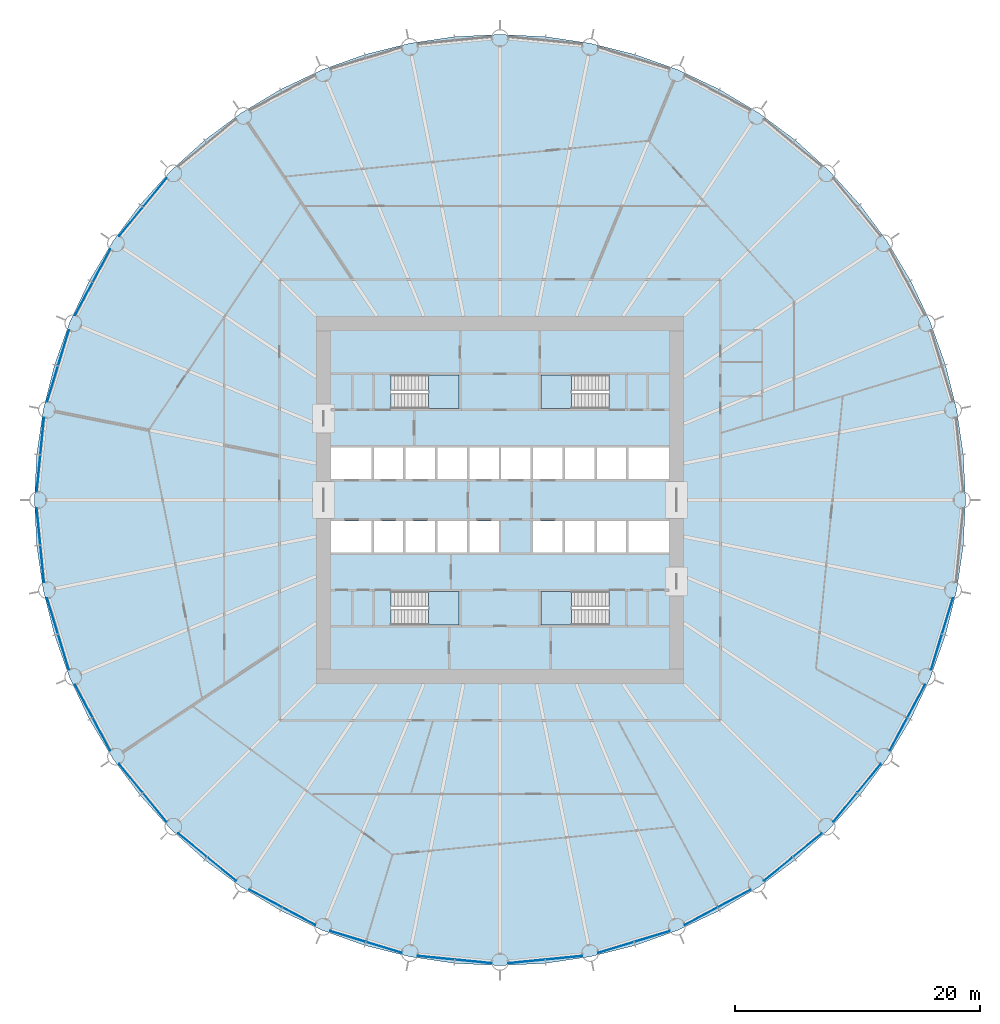
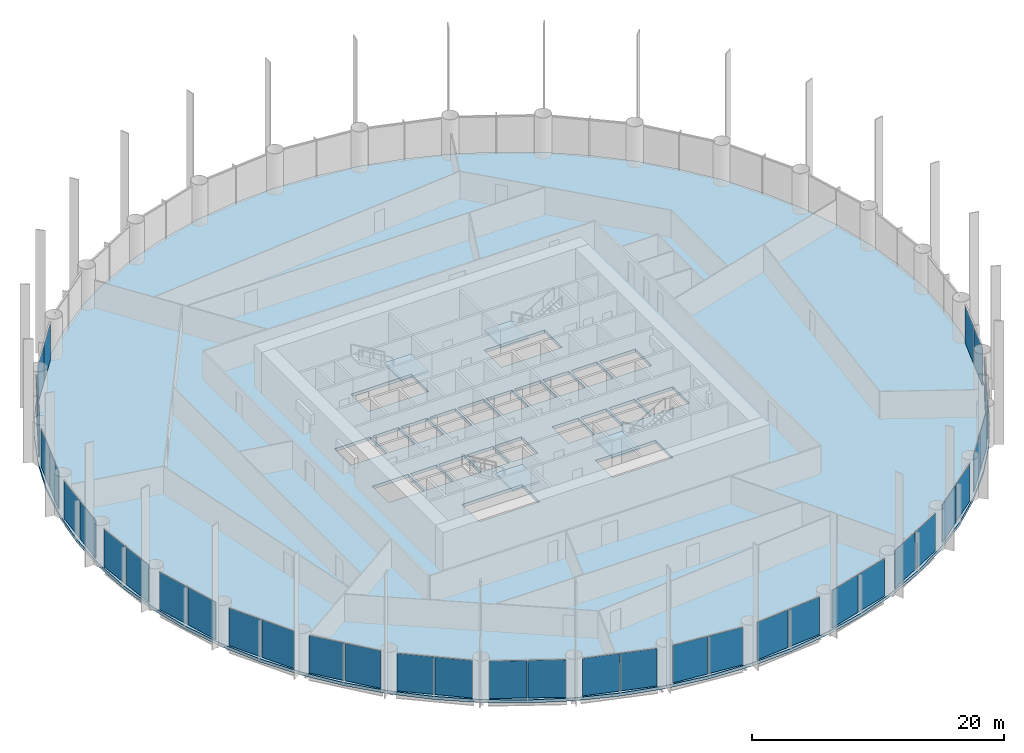
# One storey, part 7 of 14: 38 plates, 5 slabs, 23 elements without a shape of their own.
"""IFC4 building model written with IfcOpenShell, lengths in metres."""

from ifc_helpers import new_model, si_unit, direction, frame, origin, origin_2d, place, context, subcontext, project, spatial, polyline, rectangle, outline, extrude, material, layer, layer_set, type_object, element, aggregate, save


model = new_model("IFC4")

# Units and contexts
model_context = context("Model", 3, precision=1e-05, world=origin(), true_north=direction((0.0, 1.0)))
body_context = subcontext(model_context, "Body", "Model", "MODEL_VIEW")
ifc_project = project(units=[si_unit("LENGTHUNIT", "METRE"), si_unit("AREAUNIT", "SQUARE_METRE"), si_unit("VOLUMEUNIT", "CUBIC_METRE"), si_unit("PLANEANGLEUNIT", "RADIAN"), si_unit("MASSUNIT", "GRAM", prefix="KILO")], contexts=[model_context])

# Site, building, storey
site_placement = place(None, origin())
site = spatial("IfcSite", under=ifc_project, at=site_placement, CompositionType="ELEMENT")
building_placement = place(site_placement, origin())
building = spatial("IfcBuilding", under=site, at=building_placement, Name="Corvane Civic Tower", CompositionType="ELEMENT")
storey_placement = place(building_placement, frame((0.0, 0.0, 53.0)))
storey = spatial("IfcBuildingStorey", under=building, at=storey_placement, Name="L11", CompositionType="ELEMENT", Elevation=53.0)

# Slab
ifc_material_1 = material(Name="Concrete C40/50", Category="concrete")
ifc_layer_1 = layer(ifc_material_1, 0.300048828125)
ifc_layer_set_1 = layer_set([ifc_layer_1], Name="Concrete C40/50")
slab_type_1 = type_object("IfcSlabType", Name="FLOOR SLAB 300", PredefinedType="FLOOR", material=ifc_layer_set_1)
slab_1_placement = place(storey_placement, frame((0.0, 0.0, -0.300048828125)))
element("IfcSlab", 1, at=slab_1_placement, inside=storey, type_object=slab_type_1, Name="SLB-L11", PredefinedType="FLOOR", context=body_context, shape_type="SweptSolid", body=[
    extrude(outline(polyline([(0.0, 38.0), (-3.724609375, 37.817138671875), (-7.413330078125, 37.269775390625), (-11.03076171875, 36.36376953125), (-14.5419921875, 35.107421875), (-17.9130859375, 33.512939453125), (-21.111572265625, 31.595947265625), (-24.10693359375, 29.37451171875), (-26.8701171875, 26.8701171875), (-29.37451171875, 24.10693359375), (-31.595947265625, 21.111572265625), (-33.512939453125, 17.9130859375), (-35.107421875, 14.5419921875), (-36.36376953125, 11.03076171875), (-37.269775390625, 7.413330078125), (-37.817138671875, 3.724609375), (-38.0, 0.0), (-37.817138671875, -3.724609375), (-37.269775390625, -7.413330078125), (-36.36376953125, -11.03076171875), (-35.107421875, -14.5419921875), (-33.512939453125, -17.9130859375), (-31.595947265625, -21.111572265625), (-29.37451171875, -24.10693359375), (-26.8701171875, -26.8701171875), (-24.10693359375, -29.37451171875), (-21.111572265625, -31.595947265625), (-17.9130859375, -33.512939453125), (-14.5419921875, -35.107421875), (-11.03076171875, -36.36376953125), (-7.413330078125, -37.269775390625), (-3.724609375, -37.817138671875), (0.0, -38.0), (3.724609375, -37.817138671875), (7.413330078125, -37.269775390625), (11.03076171875, -36.36376953125), (14.5419921875, -35.107421875), (17.9130859375, -33.512939453125), (21.111572265625, -31.595947265625), (24.10693359375, -29.37451171875), (26.8701171875, -26.8701171875), (29.37451171875, -24.10693359375), (31.595947265625, -21.111572265625), (33.512939453125, -17.9130859375), (35.107421875, -14.5419921875), (36.36376953125, -11.03076171875), (37.269775390625, -7.413330078125), (37.817138671875, -3.724609375), (38.0, 0.0), (37.817138671875, 3.724609375), (37.269775390625, 7.413330078125), (36.36376953125, 11.03076171875), (35.107421875, 14.5419921875), (33.512939453125, 17.9130859375), (31.595947265625, 21.111572265625), (29.37451171875, 24.10693359375), (26.8701171875, 26.8701171875), (24.10693359375, 29.37451171875), (21.111572265625, 31.595947265625), (17.9130859375, 33.512939453125), (14.5419921875, 35.107421875), (11.03076171875, 36.36376953125), (7.413330078125, 37.269775390625), (3.724609375, 37.817138671875), (0.0, 38.0)]), holes=[polyline([(-13.800048828125, 4.300048828125), (-10.5, 4.300048828125), (-10.5, 1.699951171875), (-13.800048828125, 1.699951171875), (-13.800048828125, 4.300048828125)]), polyline([(-7.89990234375, 1.699951171875), (-10.300048828125, 1.699951171875), (-10.300048828125, 4.300048828125), (-7.89990234375, 4.300048828125), (-7.89990234375, 1.699951171875)]), polyline([(-7.699951171875, 4.300048828125), (-5.300048828125, 4.300048828125), (-5.300048828125, 1.699951171875), (-7.699951171875, 1.699951171875), (-7.699951171875, 4.300048828125)]), polyline([(-5.10009765625, 4.300048828125), (-2.699951171875, 4.300048828125), (-2.699951171875, 1.699951171875), (-5.10009765625, 1.699951171875), (-5.10009765625, 4.300048828125)]), polyline([(-0.10009765625, 1.699951171875), (-2.5, 1.699951171875), (-2.5, 4.300048828125), (-0.10009765625, 4.300048828125), (-0.10009765625, 1.699951171875)]), polyline([(2.5, 1.699951171875), (0.10009765625, 1.699951171875), (0.10009765625, 4.300048828125), (2.5, 4.300048828125), (2.5, 1.699951171875)]), polyline([(2.699951171875, 4.300048828125), (5.10009765625, 4.300048828125), (5.10009765625, 1.699951171875), (2.699951171875, 1.699951171875), (2.699951171875, 4.300048828125)]), polyline([(5.300048828125, 4.300048828125), (7.699951171875, 4.300048828125), (7.699951171875, 1.699951171875), (5.300048828125, 1.699951171875), (5.300048828125, 4.300048828125)]), polyline([(7.89990234375, 4.300048828125), (10.300048828125, 4.300048828125), (10.300048828125, 1.699951171875), (7.89990234375, 1.699951171875), (7.89990234375, 4.300048828125)]), polyline([(13.800048828125, 1.699951171875), (10.5, 1.699951171875), (10.5, 4.300048828125), (13.800048828125, 4.300048828125), (13.800048828125, 1.699951171875)]), polyline([(-13.800048828125, -1.699951171875), (-10.5, -1.699951171875), (-10.5, -4.300048828125), (-13.800048828125, -4.300048828125), (-13.800048828125, -1.699951171875)]), polyline([(-7.89990234375, -1.699951171875), (-7.89990234375, -4.300048828125), (-10.300048828125, -4.300048828125), (-10.300048828125, -1.699951171875), (-7.89990234375, -1.699951171875)]), polyline([(-5.300048828125, -1.699951171875), (-5.300048828125, -4.300048828125), (-7.699951171875, -4.300048828125), (-7.699951171875, -1.699951171875), (-5.300048828125, -1.699951171875)]), polyline([(-5.10009765625, -4.300048828125), (-5.10009765625, -1.699951171875), (-2.699951171875, -1.699951171875), (-2.699951171875, -4.300048828125), (-5.10009765625, -4.300048828125)]), polyline([(-0.10009765625, -1.699951171875), (-0.10009765625, -4.300048828125), (-2.5, -4.300048828125), (-2.5, -1.699951171875), (-0.10009765625, -1.699951171875)]), polyline([(5.10009765625, -1.699951171875), (5.10009765625, -4.300048828125), (2.699951171875, -4.300048828125), (2.699951171875, -1.699951171875), (5.10009765625, -1.699951171875)]), polyline([(7.699951171875, -1.699951171875), (7.699951171875, -4.300048828125), (5.300048828125, -4.300048828125), (5.300048828125, -1.699951171875), (7.699951171875, -1.699951171875)]), polyline([(10.300048828125, -1.699951171875), (10.300048828125, -4.300048828125), (7.89990234375, -4.300048828125), (7.89990234375, -1.699951171875), (10.300048828125, -1.699951171875)]), polyline([(13.800048828125, -4.300048828125), (10.5, -4.300048828125), (10.5, -1.699951171875), (13.800048828125, -1.699951171875), (13.800048828125, -4.300048828125)]), polyline([(8.889892578125, 10.199951171875), (8.889892578125, 7.449951171875), (3.35009765625, 7.449951171875), (3.35009765625, 10.199951171875), (8.889892578125, 10.199951171875)]), polyline([(-8.889892578125, 7.449951171875), (-8.889892578125, 10.199951171875), (-3.35009765625, 10.199951171875), (-3.35009765625, 7.449951171875), (-8.889892578125, 7.449951171875)]), polyline([(8.889892578125, -7.449951171875), (8.889892578125, -10.199951171875), (3.35009765625, -10.199951171875), (3.35009765625, -7.449951171875), (8.889892578125, -7.449951171875)]), polyline([(-8.889892578125, -10.199951171875), (-8.889892578125, -7.449951171875), (-3.35009765625, -7.449951171875), (-3.35009765625, -10.199951171875), (-8.889892578125, -10.199951171875)])]), origin(), (0.0, 0.0, 1.0), 0.300048828125),
])

# Stair, slab
ifc_material_2 = material(Name="Concrete C40/50", Category="concrete")
stair_type = type_object("IfcStairType", Name="ST-STAIR-HALFTURN", PredefinedType="HALF_TURN_STAIR", material=ifc_material_2)
stair_1_placement = place(storey_placement, origin())
stair_1 = element("IfcStair", 2, at=stair_1_placement, inside=storey, type_object=stair_type, Name="L11 Exit stair ST1", PredefinedType="HALF_TURN_STAIR")
ifc_material_3 = material(Name="Concrete C40/50", Category="concrete")
ifc_layer_2 = layer(ifc_material_3, 0.199951171875)
ifc_layer_set_2 = layer_set([ifc_layer_2], Name="Concrete C40/50")
slab_type_2 = type_object("IfcSlabType", Name="ST-LANDING-RC", PredefinedType="LANDING", material=ifc_layer_set_2)
slab_2_placement = place(storey_placement, frame((0.0, 0.0, 1.800048828125)))
slab_2 = element("IfcSlab", 3, at=slab_2_placement, type_object=slab_type_2, Name="ST1 landing 1", PredefinedType="LANDING", context=body_context, shape_type="SweptSolid", body=[
    extrude(outline(polyline([(5.820068359375, 10.199951171875), (3.35009765625, 10.199951171875), (3.35009765625, 7.449951171875), (5.820068359375, 7.449951171875), (5.820068359375, 10.199951171875)])), origin(), (0.0, 0.0, 1.0), 0.199951171875),
])
aggregate(stair_1, [slab_2])

stair_2_placement = place(storey_placement, origin())
stair_2 = element("IfcStair", 4, at=stair_2_placement, inside=storey, type_object=stair_type, Name="L11 Exit stair ST2", PredefinedType="HALF_TURN_STAIR")
slab_3_placement = place(storey_placement, frame((0.0, 0.0, 1.800048828125)))
slab_3 = element("IfcSlab", 5, at=slab_3_placement, type_object=slab_type_2, Name="ST2 landing 1", PredefinedType="LANDING", context=body_context, shape_type="SweptSolid", body=[
    extrude(outline(polyline([(5.820068359375, -7.449951171875), (3.35009765625, -7.449951171875), (3.35009765625, -10.199951171875), (5.820068359375, -10.199951171875), (5.820068359375, -7.449951171875)])), origin(), (0.0, 0.0, 1.0), 0.199951171875),
])
aggregate(stair_2, [slab_3])

stair_3_placement = place(storey_placement, origin())
stair_3 = element("IfcStair", 6, at=stair_3_placement, inside=storey, type_object=stair_type, Name="L11 Exit stair ST3", PredefinedType="HALF_TURN_STAIR")
slab_4_placement = place(storey_placement, frame((0.0, 0.0, 1.800048828125)))
slab_4 = element("IfcSlab", 7, at=slab_4_placement, type_object=slab_type_2, Name="ST3 landing 1", PredefinedType="LANDING", context=body_context, shape_type="SweptSolid", body=[
    extrude(outline(polyline([(-5.820068359375, -10.199951171875), (-3.35009765625, -10.199951171875), (-3.35009765625, -7.449951171875), (-5.820068359375, -7.449951171875), (-5.820068359375, -10.199951171875)])), origin(), (0.0, 0.0, 1.0), 0.199951171875),
])
aggregate(stair_3, [slab_4])

stair_4_placement = place(storey_placement, origin())
stair_4 = element("IfcStair", 8, at=stair_4_placement, inside=storey, type_object=stair_type, Name="L11 Exit stair ST4", PredefinedType="HALF_TURN_STAIR")
slab_5_placement = place(storey_placement, frame((0.0, 0.0, 1.800048828125)))
slab_5 = element("IfcSlab", 9, at=slab_5_placement, type_object=slab_type_2, Name="ST4 landing 1", PredefinedType="LANDING", context=body_context, shape_type="SweptSolid", body=[
    extrude(outline(polyline([(-5.820068359375, 7.449951171875), (-3.35009765625, 7.449951171875), (-3.35009765625, 10.199951171875), (-5.820068359375, 10.199951171875), (-5.820068359375, 7.449951171875)])), origin(), (0.0, 0.0, 1.0), 0.199951171875),
])
aggregate(stair_4, [slab_5])

# Curtain wall, plates
ifc_material_4 = material(Name="Anodised aluminium bronze", Category="aluminium")
curtain_wall_type = type_object("IfcCurtainWallType", Name="TOWER CW-T1 STICK CURTAIN WALL", PredefinedType="NOTDEFINED", material=ifc_material_4)
curtain_wall_1_placement = place(storey_placement, origin())
curtain_wall_1 = element("IfcCurtainWall", 10, at=curtain_wall_1_placement, inside=storey, type_object=curtain_wall_type, Name="Curtain wall CW-T1 L11 bay 10", PredefinedType="NOTDEFINED")
ifc_material_5 = material(Name="Tinted glass", Category="glass")
ifc_layer_3 = layer(ifc_material_5, 0.035888671875)
ifc_layer_set_3 = layer_set([ifc_layer_3], Name="Tinted glass")
plate_type = type_object("IfcPlateType", Name="TOWER CW-T1 PANEL IGU36", PredefinedType="CURTAIN_PANEL", material=ifc_layer_set_3)
plate_1_placement = place(storey_placement, frame((36.522705078125, -9.46533203125, 0.0), z_axis=(0.0, 0.0, 1.0), x_axis=(-0.290278397654, -0.956942240606, 0.0)))
plate_1 = element("IfcPlate", 11, at=plate_1_placement, type_object=plate_type, Name="Glass panel CW-T1 L11 10.1", PredefinedType="CURTAIN_PANEL", context=body_context, shape_type="SweptSolid", body=[
    extrude(rectangle(XDim=3.008544921875, YDim=0.035888671875, at=origin_2d()), origin(), (0.0, 0.0, 1.0), 3.6298828125),
])
plate_2_placement = place(storey_placement, frame((35.6259765625, -12.4208984375, 0.0), z_axis=(0.0, 0.0, 1.0), x_axis=(-0.290278397654, -0.956942240606, 0.0)))
plate_2 = element("IfcPlate", 12, at=plate_2_placement, type_object=plate_type, Name="Glass panel CW-T1 L11 10.2", PredefinedType="CURTAIN_PANEL", context=body_context, shape_type="SweptSolid", body=[
    extrude(rectangle(XDim=3.008544921875, YDim=0.035888671875, at=origin_2d()), origin(), (0.0, 0.0, 1.0), 3.6298828125),
])
aggregate(curtain_wall_1, [plate_1, plate_2])

curtain_wall_2_placement = place(storey_placement, origin())
curtain_wall_2 = element("IfcCurtainWall", 13, at=curtain_wall_2_placement, inside=storey, type_object=curtain_wall_type, Name="Curtain wall CW-T1 L11 bay 11", PredefinedType="NOTDEFINED")
plate_3_placement = place(storey_placement, frame((33.974365234375, -16.40869140625, 0.0), z_axis=(0.0, 0.0, 1.0), x_axis=(-0.471403725359, -0.881917528864, 0.0)))
plate_3 = element("IfcPlate", 14, at=plate_3_placement, type_object=plate_type, Name="Glass panel CW-T1 L11 11.1", PredefinedType="CURTAIN_PANEL", context=body_context, shape_type="SweptSolid", body=[
    extrude(rectangle(XDim=3.008544921875, YDim=0.035888671875, at=origin_2d()), origin(), (0.0, 0.0, 1.0), 3.6298828125),
])
plate_4_placement = place(storey_placement, frame((32.518310546875, -19.132568359375, 0.0), z_axis=(0.0, 0.0, 1.0), x_axis=(-0.471403725359, -0.881917528864, 0.0)))
plate_4 = element("IfcPlate", 15, at=plate_4_placement, type_object=plate_type, Name="Glass panel CW-T1 L11 11.2", PredefinedType="CURTAIN_PANEL", context=body_context, shape_type="SweptSolid", body=[
    extrude(rectangle(XDim=3.008544921875, YDim=0.035888671875, at=origin_2d()), origin(), (0.0, 0.0, 1.0), 3.6298828125),
])
aggregate(curtain_wall_2, [plate_3, plate_4])

curtain_wall_3_placement = place(storey_placement, origin())
curtain_wall_3 = element("IfcCurtainWall", 16, at=curtain_wall_3_placement, inside=storey, type_object=curtain_wall_type, Name="Curtain wall CW-T1 L11 bay 12", PredefinedType="NOTDEFINED")
plate_5_placement = place(storey_placement, frame((30.120361328125, -22.721435546875, 0.0), z_axis=(0.0, 0.0, 1.0), x_axis=(-0.634397218569, -0.773007224463, 0.0)))
plate_5 = element("IfcPlate", 17, at=plate_5_placement, type_object=plate_type, Name="Glass panel CW-T1 L11 12.1", PredefinedType="CURTAIN_PANEL", context=body_context, shape_type="SweptSolid", body=[
    extrude(rectangle(XDim=3.008544921875, YDim=0.035888671875, at=origin_2d()), origin(), (0.0, 0.0, 1.0), 3.6298828125),
])
plate_6_placement = place(storey_placement, frame((28.160888671875, -25.10888671875, 0.0), z_axis=(0.0, 0.0, 1.0), x_axis=(-0.634397218569, -0.773007224463, 0.0)))
plate_6 = element("IfcPlate", 18, at=plate_6_placement, type_object=plate_type, Name="Glass panel CW-T1 L11 12.2", PredefinedType="CURTAIN_PANEL", context=body_context, shape_type="SweptSolid", body=[
    extrude(rectangle(XDim=3.008544921875, YDim=0.035888671875, at=origin_2d()), origin(), (0.0, 0.0, 1.0), 3.6298828125),
])
aggregate(curtain_wall_3, [plate_5, plate_6])

curtain_wall_4_placement = place(storey_placement, origin())
curtain_wall_4 = element("IfcCurtainWall", 19, at=curtain_wall_4_placement, inside=storey, type_object=curtain_wall_type, Name="Curtain wall CW-T1 L11 bay 13", PredefinedType="NOTDEFINED")
plate_7_placement = place(storey_placement, frame((25.10888671875, -28.160888671875, 0.0), z_axis=(0.0, 0.0, 1.0), x_axis=(-0.773007224463, -0.634397218569, 0.0)))
plate_7 = element("IfcPlate", 20, at=plate_7_placement, type_object=plate_type, Name="Glass panel CW-T1 L11 13.1", PredefinedType="CURTAIN_PANEL", context=body_context, shape_type="SweptSolid", body=[
    extrude(rectangle(XDim=3.008544921875, YDim=0.035888671875, at=origin_2d()), origin(), (0.0, 0.0, 1.0), 3.6298828125),
])
plate_8_placement = place(storey_placement, frame((22.721435546875, -30.120361328125, 0.0), z_axis=(0.0, 0.0, 1.0), x_axis=(-0.773007224463, -0.634397218569, 0.0)))
plate_8 = element("IfcPlate", 21, at=plate_8_placement, type_object=plate_type, Name="Glass panel CW-T1 L11 13.2", PredefinedType="CURTAIN_PANEL", context=body_context, shape_type="SweptSolid", body=[
    extrude(rectangle(XDim=3.008544921875, YDim=0.035888671875, at=origin_2d()), origin(), (0.0, 0.0, 1.0), 3.6298828125),
])
aggregate(curtain_wall_4, [plate_7, plate_8])

curtain_wall_5_placement = place(storey_placement, origin())
curtain_wall_5 = element("IfcCurtainWall", 22, at=curtain_wall_5_placement, inside=storey, type_object=curtain_wall_type, Name="Curtain wall CW-T1 L11 bay 14", PredefinedType="NOTDEFINED")
plate_9_placement = place(storey_placement, frame((19.132568359375, -32.518310546875, 0.0), z_axis=(0.0, 0.0, 1.0), x_axis=(-0.881917528864, -0.471403725359, 0.0)))
plate_9 = element("IfcPlate", 23, at=plate_9_placement, type_object=plate_type, Name="Glass panel CW-T1 L11 14.1", PredefinedType="CURTAIN_PANEL", context=body_context, shape_type="SweptSolid", body=[
    extrude(rectangle(XDim=3.008544921875, YDim=0.035888671875, at=origin_2d()), origin(), (0.0, 0.0, 1.0), 3.6298828125),
])
plate_10_placement = place(storey_placement, frame((16.40869140625, -33.974365234375, 0.0), z_axis=(0.0, 0.0, 1.0), x_axis=(-0.881917528864, -0.471403725359, 0.0)))
plate_10 = element("IfcPlate", 24, at=plate_10_placement, type_object=plate_type, Name="Glass panel CW-T1 L11 14.2", PredefinedType="CURTAIN_PANEL", context=body_context, shape_type="SweptSolid", body=[
    extrude(rectangle(XDim=3.008544921875, YDim=0.035888671875, at=origin_2d()), origin(), (0.0, 0.0, 1.0), 3.6298828125),
])
aggregate(curtain_wall_5, [plate_9, plate_10])

curtain_wall_6_placement = place(storey_placement, origin())
curtain_wall_6 = element("IfcCurtainWall", 25, at=curtain_wall_6_placement, inside=storey, type_object=curtain_wall_type, Name="Curtain wall CW-T1 L11 bay 15", PredefinedType="NOTDEFINED")
plate_11_placement = place(storey_placement, frame((12.4208984375, -35.6259765625, 0.0), z_axis=(0.0, 0.0, 1.0), x_axis=(-0.956942240606, -0.290278397654, 0.0)))
plate_11 = element("IfcPlate", 26, at=plate_11_placement, type_object=plate_type, Name="Glass panel CW-T1 L11 15.1", PredefinedType="CURTAIN_PANEL", context=body_context, shape_type="SweptSolid", body=[
    extrude(rectangle(XDim=3.008544921875, YDim=0.035888671875, at=origin_2d()), origin(), (0.0, 0.0, 1.0), 3.6298828125),
])
plate_12_placement = place(storey_placement, frame((9.46533203125, -36.522705078125, 0.0), z_axis=(0.0, 0.0, 1.0), x_axis=(-0.956942240606, -0.290278397654, 0.0)))
plate_12 = element("IfcPlate", 27, at=plate_12_placement, type_object=plate_type, Name="Glass panel CW-T1 L11 15.2", PredefinedType="CURTAIN_PANEL", context=body_context, shape_type="SweptSolid", body=[
    extrude(rectangle(XDim=3.008544921875, YDim=0.035888671875, at=origin_2d()), origin(), (0.0, 0.0, 1.0), 3.6298828125),
])
aggregate(curtain_wall_6, [plate_11, plate_12])

curtain_wall_7_placement = place(storey_placement, origin())
curtain_wall_7 = element("IfcCurtainWall", 28, at=curtain_wall_7_placement, inside=storey, type_object=curtain_wall_type, Name="Curtain wall CW-T1 L11 bay 16", PredefinedType="NOTDEFINED")
plate_13_placement = place(storey_placement, frame((5.23193359375, -37.36474609375, 0.0), z_axis=(0.0, 0.0, 1.0), x_axis=(-0.995185800248, -0.098006239521, 0.0)))
plate_13 = element("IfcPlate", 29, at=plate_13_placement, type_object=plate_type, Name="Glass panel CW-T1 L11 16.1", PredefinedType="CURTAIN_PANEL", context=body_context, shape_type="SweptSolid", body=[
    extrude(rectangle(XDim=3.008544921875, YDim=0.035888671875, at=origin_2d()), origin(), (0.0, 0.0, 1.0), 3.6298828125),
])
plate_14_placement = place(storey_placement, frame((2.158203125, -37.667236328125, 0.0), z_axis=(0.0, 0.0, 1.0), x_axis=(-0.995185800248, -0.098006239521, 0.0)))
plate_14 = element("IfcPlate", 30, at=plate_14_placement, type_object=plate_type, Name="Glass panel CW-T1 L11 16.2", PredefinedType="CURTAIN_PANEL", context=body_context, shape_type="SweptSolid", body=[
    extrude(rectangle(XDim=3.008544921875, YDim=0.035888671875, at=origin_2d()), origin(), (0.0, 0.0, 1.0), 3.6298828125),
])
aggregate(curtain_wall_7, [plate_13, plate_14])

curtain_wall_8_placement = place(storey_placement, origin())
curtain_wall_8 = element("IfcCurtainWall", 31, at=curtain_wall_8_placement, inside=storey, type_object=curtain_wall_type, Name="Curtain wall CW-T1 L11 bay 17", PredefinedType="NOTDEFINED")
plate_15_placement = place(storey_placement, frame((-2.158203125, -37.667236328125, 0.0), z_axis=(0.0, 0.0, 1.0), x_axis=(-0.995185800248, 0.098006239521, 0.0)))
plate_15 = element("IfcPlate", 32, at=plate_15_placement, type_object=plate_type, Name="Glass panel CW-T1 L11 17.1", PredefinedType="CURTAIN_PANEL", context=body_context, shape_type="SweptSolid", body=[
    extrude(rectangle(XDim=3.008544921875, YDim=0.035888671875, at=origin_2d()), origin(), (0.0, 0.0, 1.0), 3.6298828125),
])
plate_16_placement = place(storey_placement, frame((-5.23193359375, -37.36474609375, 0.0), z_axis=(0.0, 0.0, 1.0), x_axis=(-0.995185800248, 0.098006239521, 0.0)))
plate_16 = element("IfcPlate", 33, at=plate_16_placement, type_object=plate_type, Name="Glass panel CW-T1 L11 17.2", PredefinedType="CURTAIN_PANEL", context=body_context, shape_type="SweptSolid", body=[
    extrude(rectangle(XDim=3.008544921875, YDim=0.035888671875, at=origin_2d()), origin(), (0.0, 0.0, 1.0), 3.6298828125),
])
aggregate(curtain_wall_8, [plate_15, plate_16])

curtain_wall_9_placement = place(storey_placement, origin())
curtain_wall_9 = element("IfcCurtainWall", 34, at=curtain_wall_9_placement, inside=storey, type_object=curtain_wall_type, Name="Curtain wall CW-T1 L11 bay 18", PredefinedType="NOTDEFINED")
plate_17_placement = place(storey_placement, frame((-9.46533203125, -36.522705078125, 0.0), z_axis=(0.0, 0.0, 1.0), x_axis=(-0.956942240606, 0.290278397654, 0.0)))
plate_17 = element("IfcPlate", 35, at=plate_17_placement, type_object=plate_type, Name="Glass panel CW-T1 L11 18.1", PredefinedType="CURTAIN_PANEL", context=body_context, shape_type="SweptSolid", body=[
    extrude(rectangle(XDim=3.008544921875, YDim=0.035888671875, at=origin_2d()), origin(), (0.0, 0.0, 1.0), 3.6298828125),
])
plate_18_placement = place(storey_placement, frame((-12.4208984375, -35.6259765625, 0.0), z_axis=(0.0, 0.0, 1.0), x_axis=(-0.956942240606, 0.290278397654, 0.0)))
plate_18 = element("IfcPlate", 36, at=plate_18_placement, type_object=plate_type, Name="Glass panel CW-T1 L11 18.2", PredefinedType="CURTAIN_PANEL", context=body_context, shape_type="SweptSolid", body=[
    extrude(rectangle(XDim=3.008544921875, YDim=0.035888671875, at=origin_2d()), origin(), (0.0, 0.0, 1.0), 3.6298828125),
])
aggregate(curtain_wall_9, [plate_17, plate_18])

curtain_wall_10_placement = place(storey_placement, origin())
curtain_wall_10 = element("IfcCurtainWall", 37, at=curtain_wall_10_placement, inside=storey, type_object=curtain_wall_type, Name="Curtain wall CW-T1 L11 bay 19", PredefinedType="NOTDEFINED")
plate_19_placement = place(storey_placement, frame((-16.40869140625, -33.974365234375, 0.0), z_axis=(0.0, 0.0, 1.0), x_axis=(-0.881917528864, 0.471403725359, 0.0)))
plate_19 = element("IfcPlate", 38, at=plate_19_placement, type_object=plate_type, Name="Glass panel CW-T1 L11 19.1", PredefinedType="CURTAIN_PANEL", context=body_context, shape_type="SweptSolid", body=[
    extrude(rectangle(XDim=3.008544921875, YDim=0.035888671875, at=origin_2d()), origin(), (0.0, 0.0, 1.0), 3.6298828125),
])
plate_20_placement = place(storey_placement, frame((-19.132568359375, -32.518310546875, 0.0), z_axis=(0.0, 0.0, 1.0), x_axis=(-0.881917528864, 0.471403725359, 0.0)))
plate_20 = element("IfcPlate", 39, at=plate_20_placement, type_object=plate_type, Name="Glass panel CW-T1 L11 19.2", PredefinedType="CURTAIN_PANEL", context=body_context, shape_type="SweptSolid", body=[
    extrude(rectangle(XDim=3.008544921875, YDim=0.035888671875, at=origin_2d()), origin(), (0.0, 0.0, 1.0), 3.6298828125),
])
aggregate(curtain_wall_10, [plate_19, plate_20])

curtain_wall_11_placement = place(storey_placement, origin())
curtain_wall_11 = element("IfcCurtainWall", 40, at=curtain_wall_11_placement, inside=storey, type_object=curtain_wall_type, Name="Curtain wall CW-T1 L11 bay 20", PredefinedType="NOTDEFINED")
plate_21_placement = place(storey_placement, frame((-22.721435546875, -30.120361328125, 0.0), z_axis=(0.0, 0.0, 1.0), x_axis=(-0.773007224463, 0.634397218569, 0.0)))
plate_21 = element("IfcPlate", 41, at=plate_21_placement, type_object=plate_type, Name="Glass panel CW-T1 L11 20.1", PredefinedType="CURTAIN_PANEL", context=body_context, shape_type="SweptSolid", body=[
    extrude(rectangle(XDim=3.008544921875, YDim=0.035888671875, at=origin_2d()), origin(), (0.0, 0.0, 1.0), 3.6298828125),
])
plate_22_placement = place(storey_placement, frame((-25.10888671875, -28.160888671875, 0.0), z_axis=(0.0, 0.0, 1.0), x_axis=(-0.773007224463, 0.634397218569, 0.0)))
plate_22 = element("IfcPlate", 42, at=plate_22_placement, type_object=plate_type, Name="Glass panel CW-T1 L11 20.2", PredefinedType="CURTAIN_PANEL", context=body_context, shape_type="SweptSolid", body=[
    extrude(rectangle(XDim=3.008544921875, YDim=0.035888671875, at=origin_2d()), origin(), (0.0, 0.0, 1.0), 3.6298828125),
])
aggregate(curtain_wall_11, [plate_21, plate_22])

curtain_wall_12_placement = place(storey_placement, origin())
curtain_wall_12 = element("IfcCurtainWall", 43, at=curtain_wall_12_placement, inside=storey, type_object=curtain_wall_type, Name="Curtain wall CW-T1 L11 bay 21", PredefinedType="NOTDEFINED")
plate_23_placement = place(storey_placement, frame((-28.160888671875, -25.10888671875, 0.0), z_axis=(0.0, 0.0, 1.0), x_axis=(-0.634397218569, 0.773007224463, 0.0)))
plate_23 = element("IfcPlate", 44, at=plate_23_placement, type_object=plate_type, Name="Glass panel CW-T1 L11 21.1", PredefinedType="CURTAIN_PANEL", context=body_context, shape_type="SweptSolid", body=[
    extrude(rectangle(XDim=3.008544921875, YDim=0.035888671875, at=origin_2d()), origin(), (0.0, 0.0, 1.0), 3.6298828125),
])
plate_24_placement = place(storey_placement, frame((-30.120361328125, -22.721435546875, 0.0), z_axis=(0.0, 0.0, 1.0), x_axis=(-0.634397218569, 0.773007224463, 0.0)))
plate_24 = element("IfcPlate", 45, at=plate_24_placement, type_object=plate_type, Name="Glass panel CW-T1 L11 21.2", PredefinedType="CURTAIN_PANEL", context=body_context, shape_type="SweptSolid", body=[
    extrude(rectangle(XDim=3.008544921875, YDim=0.035888671875, at=origin_2d()), origin(), (0.0, 0.0, 1.0), 3.6298828125),
])
aggregate(curtain_wall_12, [plate_23, plate_24])

curtain_wall_13_placement = place(storey_placement, origin())
curtain_wall_13 = element("IfcCurtainWall", 46, at=curtain_wall_13_placement, inside=storey, type_object=curtain_wall_type, Name="Curtain wall CW-T1 L11 bay 22", PredefinedType="NOTDEFINED")
plate_25_placement = place(storey_placement, frame((-32.518310546875, -19.132568359375, 0.0), z_axis=(0.0, 0.0, 1.0), x_axis=(-0.471403725359, 0.881917528864, 0.0)))
plate_25 = element("IfcPlate", 47, at=plate_25_placement, type_object=plate_type, Name="Glass panel CW-T1 L11 22.1", PredefinedType="CURTAIN_PANEL", context=body_context, shape_type="SweptSolid", body=[
    extrude(rectangle(XDim=3.008544921875, YDim=0.035888671875, at=origin_2d()), origin(), (0.0, 0.0, 1.0), 3.6298828125),
])
plate_26_placement = place(storey_placement, frame((-33.974365234375, -16.40869140625, 0.0), z_axis=(0.0, 0.0, 1.0), x_axis=(-0.471403725359, 0.881917528864, 0.0)))
plate_26 = element("IfcPlate", 48, at=plate_26_placement, type_object=plate_type, Name="Glass panel CW-T1 L11 22.2", PredefinedType="CURTAIN_PANEL", context=body_context, shape_type="SweptSolid", body=[
    extrude(rectangle(XDim=3.008544921875, YDim=0.035888671875, at=origin_2d()), origin(), (0.0, 0.0, 1.0), 3.6298828125),
])
aggregate(curtain_wall_13, [plate_25, plate_26])

curtain_wall_14_placement = place(storey_placement, origin())
curtain_wall_14 = element("IfcCurtainWall", 49, at=curtain_wall_14_placement, inside=storey, type_object=curtain_wall_type, Name="Curtain wall CW-T1 L11 bay 23", PredefinedType="NOTDEFINED")
plate_27_placement = place(storey_placement, frame((-35.6259765625, -12.4208984375, 0.0), z_axis=(0.0, 0.0, 1.0), x_axis=(-0.290278397654, 0.956942240606, 0.0)))
plate_27 = element("IfcPlate", 50, at=plate_27_placement, type_object=plate_type, Name="Glass panel CW-T1 L11 23.1", PredefinedType="CURTAIN_PANEL", context=body_context, shape_type="SweptSolid", body=[
    extrude(rectangle(XDim=3.008544921875, YDim=0.035888671875, at=origin_2d()), origin(), (0.0, 0.0, 1.0), 3.6298828125),
])
plate_28_placement = place(storey_placement, frame((-36.522705078125, -9.46533203125, 0.0), z_axis=(0.0, 0.0, 1.0), x_axis=(-0.290278397654, 0.956942240606, 0.0)))
plate_28 = element("IfcPlate", 51, at=plate_28_placement, type_object=plate_type, Name="Glass panel CW-T1 L11 23.2", PredefinedType="CURTAIN_PANEL", context=body_context, shape_type="SweptSolid", body=[
    extrude(rectangle(XDim=3.008544921875, YDim=0.035888671875, at=origin_2d()), origin(), (0.0, 0.0, 1.0), 3.6298828125),
])
aggregate(curtain_wall_14, [plate_27, plate_28])

curtain_wall_15_placement = place(storey_placement, origin())
curtain_wall_15 = element("IfcCurtainWall", 52, at=curtain_wall_15_placement, inside=storey, type_object=curtain_wall_type, Name="Curtain wall CW-T1 L11 bay 24", PredefinedType="NOTDEFINED")
plate_29_placement = place(storey_placement, frame((-37.36474609375, -5.23193359375, 0.0), z_axis=(0.0, 0.0, 1.0), x_axis=(-0.098006239521, 0.995185800248, 0.0)))
plate_29 = element("IfcPlate", 53, at=plate_29_placement, type_object=plate_type, Name="Glass panel CW-T1 L11 24.1", PredefinedType="CURTAIN_PANEL", context=body_context, shape_type="SweptSolid", body=[
    extrude(rectangle(XDim=3.008544921875, YDim=0.035888671875, at=origin_2d()), origin(), (0.0, 0.0, 1.0), 3.6298828125),
])
plate_30_placement = place(storey_placement, frame((-37.667236328125, -2.158203125, 0.0), z_axis=(0.0, 0.0, 1.0), x_axis=(-0.098006239521, 0.995185800248, 0.0)))
plate_30 = element("IfcPlate", 54, at=plate_30_placement, type_object=plate_type, Name="Glass panel CW-T1 L11 24.2", PredefinedType="CURTAIN_PANEL", context=body_context, shape_type="SweptSolid", body=[
    extrude(rectangle(XDim=3.008544921875, YDim=0.035888671875, at=origin_2d()), origin(), (0.0, 0.0, 1.0), 3.6298828125),
])
aggregate(curtain_wall_15, [plate_29, plate_30])

curtain_wall_16_placement = place(storey_placement, origin())
curtain_wall_16 = element("IfcCurtainWall", 55, at=curtain_wall_16_placement, inside=storey, type_object=curtain_wall_type, Name="Curtain wall CW-T1 L11 bay 25", PredefinedType="NOTDEFINED")
plate_31_placement = place(storey_placement, frame((-37.667236328125, 2.158203125, 0.0), z_axis=(0.0, 0.0, 1.0), x_axis=(0.098006239521, 0.995185800248, 0.0)))
plate_31 = element("IfcPlate", 56, at=plate_31_placement, type_object=plate_type, Name="Glass panel CW-T1 L11 25.1", PredefinedType="CURTAIN_PANEL", context=body_context, shape_type="SweptSolid", body=[
    extrude(rectangle(XDim=3.008544921875, YDim=0.035888671875, at=origin_2d()), origin(), (0.0, 0.0, 1.0), 3.6298828125),
])
plate_32_placement = place(storey_placement, frame((-37.36474609375, 5.23193359375, 0.0), z_axis=(0.0, 0.0, 1.0), x_axis=(0.098006239521, 0.995185800248, 0.0)))
plate_32 = element("IfcPlate", 57, at=plate_32_placement, type_object=plate_type, Name="Glass panel CW-T1 L11 25.2", PredefinedType="CURTAIN_PANEL", context=body_context, shape_type="SweptSolid", body=[
    extrude(rectangle(XDim=3.008544921875, YDim=0.035888671875, at=origin_2d()), origin(), (0.0, 0.0, 1.0), 3.6298828125),
])
aggregate(curtain_wall_16, [plate_31, plate_32])

curtain_wall_17_placement = place(storey_placement, origin())
curtain_wall_17 = element("IfcCurtainWall", 58, at=curtain_wall_17_placement, inside=storey, type_object=curtain_wall_type, Name="Curtain wall CW-T1 L11 bay 26", PredefinedType="NOTDEFINED")
plate_33_placement = place(storey_placement, frame((-36.522705078125, 9.46533203125, 0.0), z_axis=(0.0, 0.0, 1.0), x_axis=(0.290278397654, 0.956942240606, 0.0)))
plate_33 = element("IfcPlate", 59, at=plate_33_placement, type_object=plate_type, Name="Glass panel CW-T1 L11 26.1", PredefinedType="CURTAIN_PANEL", context=body_context, shape_type="SweptSolid", body=[
    extrude(rectangle(XDim=3.008544921875, YDim=0.035888671875, at=origin_2d()), origin(), (0.0, 0.0, 1.0), 3.6298828125),
])
plate_34_placement = place(storey_placement, frame((-35.6259765625, 12.4208984375, 0.0), z_axis=(0.0, 0.0, 1.0), x_axis=(0.290278397654, 0.956942240606, 0.0)))
plate_34 = element("IfcPlate", 60, at=plate_34_placement, type_object=plate_type, Name="Glass panel CW-T1 L11 26.2", PredefinedType="CURTAIN_PANEL", context=body_context, shape_type="SweptSolid", body=[
    extrude(rectangle(XDim=3.008544921875, YDim=0.035888671875, at=origin_2d()), origin(), (0.0, 0.0, 1.0), 3.6298828125),
])
aggregate(curtain_wall_17, [plate_33, plate_34])

curtain_wall_18_placement = place(storey_placement, origin())
curtain_wall_18 = element("IfcCurtainWall", 61, at=curtain_wall_18_placement, inside=storey, type_object=curtain_wall_type, Name="Curtain wall CW-T1 L11 bay 27", PredefinedType="NOTDEFINED")
plate_35_placement = place(storey_placement, frame((-33.974365234375, 16.40869140625, 0.0), z_axis=(0.0, 0.0, 1.0), x_axis=(0.471403725359, 0.881917528864, 0.0)))
plate_35 = element("IfcPlate", 62, at=plate_35_placement, type_object=plate_type, Name="Glass panel CW-T1 L11 27.1", PredefinedType="CURTAIN_PANEL", context=body_context, shape_type="SweptSolid", body=[
    extrude(rectangle(XDim=3.008544921875, YDim=0.035888671875, at=origin_2d()), origin(), (0.0, 0.0, 1.0), 3.6298828125),
])
plate_36_placement = place(storey_placement, frame((-32.518310546875, 19.132568359375, 0.0), z_axis=(0.0, 0.0, 1.0), x_axis=(0.471403725359, 0.881917528864, 0.0)))
plate_36 = element("IfcPlate", 63, at=plate_36_placement, type_object=plate_type, Name="Glass panel CW-T1 L11 27.2", PredefinedType="CURTAIN_PANEL", context=body_context, shape_type="SweptSolid", body=[
    extrude(rectangle(XDim=3.008544921875, YDim=0.035888671875, at=origin_2d()), origin(), (0.0, 0.0, 1.0), 3.6298828125),
])
aggregate(curtain_wall_18, [plate_35, plate_36])

curtain_wall_19_placement = place(storey_placement, origin())
curtain_wall_19 = element("IfcCurtainWall", 64, at=curtain_wall_19_placement, inside=storey, type_object=curtain_wall_type, Name="Curtain wall CW-T1 L11 bay 28", PredefinedType="NOTDEFINED")
plate_37_placement = place(storey_placement, frame((-30.120361328125, 22.721435546875, 0.0), z_axis=(0.0, 0.0, 1.0), x_axis=(0.634397218569, 0.773007224463, 0.0)))
plate_37 = element("IfcPlate", 65, at=plate_37_placement, type_object=plate_type, Name="Glass panel CW-T1 L11 28.1", PredefinedType="CURTAIN_PANEL", context=body_context, shape_type="SweptSolid", body=[
    extrude(rectangle(XDim=3.008544921875, YDim=0.035888671875, at=origin_2d()), origin(), (0.0, 0.0, 1.0), 3.6298828125),
])
plate_38_placement = place(storey_placement, frame((-28.160888671875, 25.10888671875, 0.0), z_axis=(0.0, 0.0, 1.0), x_axis=(0.634397218569, 0.773007224463, 0.0)))
plate_38 = element("IfcPlate", 66, at=plate_38_placement, type_object=plate_type, Name="Glass panel CW-T1 L11 28.2", PredefinedType="CURTAIN_PANEL", context=body_context, shape_type="SweptSolid", body=[
    extrude(rectangle(XDim=3.008544921875, YDim=0.035888671875, at=origin_2d()), origin(), (0.0, 0.0, 1.0), 3.6298828125),
])
aggregate(curtain_wall_19, [plate_37, plate_38])

save(model, "model.ifc")
